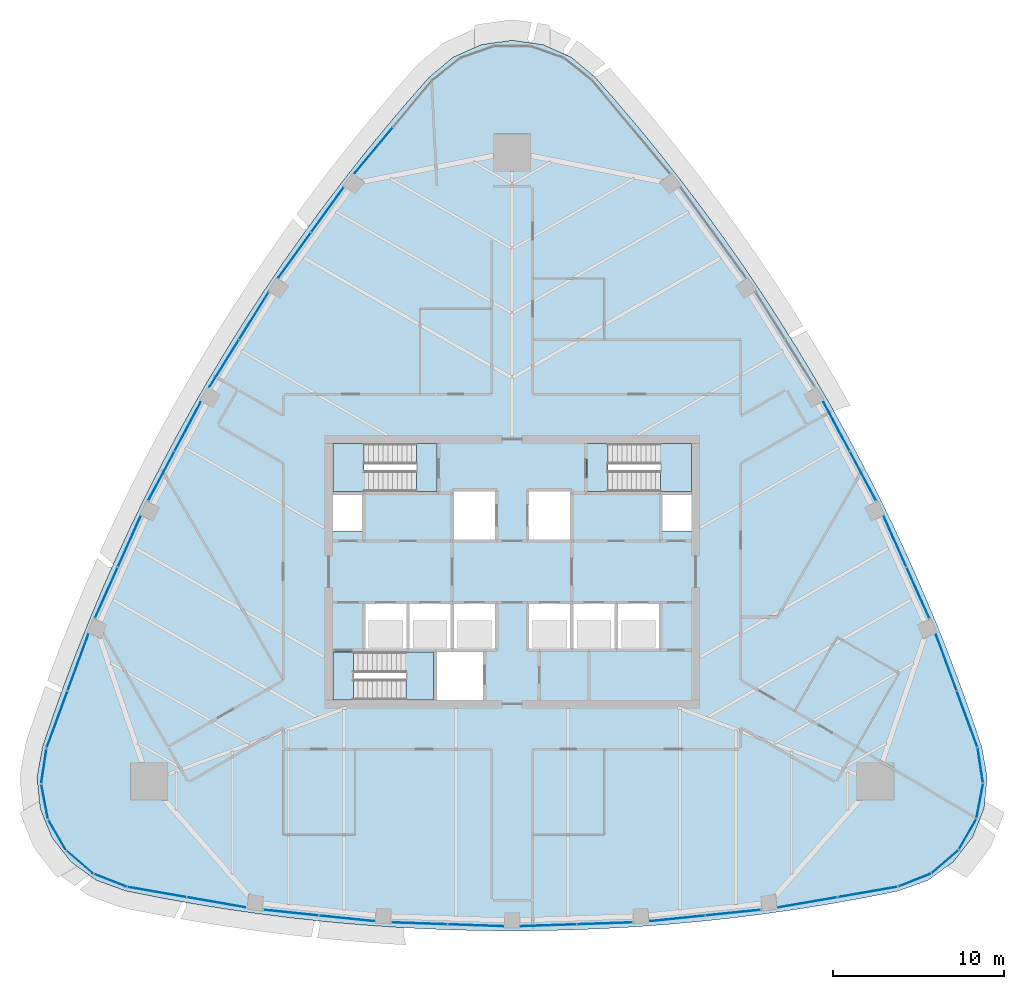
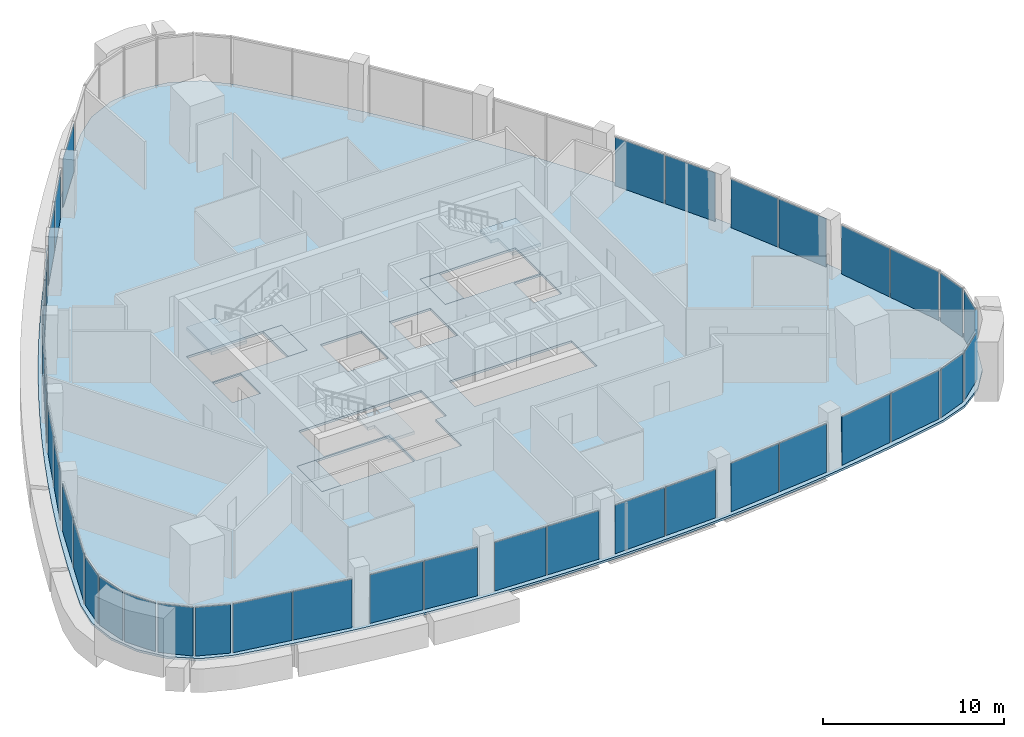
# One storey, part 7 of 15: 39 plates, 7 slabs, 28 elements without a shape of their own.
"""IFC4 building model written with IfcOpenShell, lengths in metres."""

from ifc_helpers import new_model, si_unit, direction, frame, origin, origin_2d, place, context, subcontext, project, spatial, polyline, rectangle, outline, extrude, material, layer, layer_set, type_object, element, aggregate, save


model = new_model("IFC4")

# Units and contexts
model_context = context("Model", 3, precision=1e-05, world=origin(), true_north=direction((0.0, 1.0)))
body_context = subcontext(model_context, "Body", "Model", "MODEL_VIEW")
ifc_project = project(units=[si_unit("LENGTHUNIT", "METRE"), si_unit("AREAUNIT", "SQUARE_METRE"), si_unit("VOLUMEUNIT", "CUBIC_METRE"), si_unit("PLANEANGLEUNIT", "RADIAN"), si_unit("MASSUNIT", "GRAM", prefix="KILO")], contexts=[model_context])

# Site, building, storey
site_placement = place(None, origin())
site = spatial("IfcSite", under=ifc_project, at=site_placement, CompositionType="ELEMENT")
building_placement = place(site_placement, origin())
building = spatial("IfcBuilding", under=site, at=building_placement, Name="Sierra Prisma Convention Tower", CompositionType="ELEMENT")
storey_placement = place(building_placement, frame((0.0, 0.0, 267.0)))
storey = spatial("IfcBuildingStorey", under=building, at=storey_placement, Name="L60", CompositionType="ELEMENT", Elevation=267.0)

# Curtain wall, plates
ifc_material_1 = material(Name="Aluminium and glass curtain wall", Category="aluminium")
ifc_layer_1 = layer(ifc_material_1, 0.179931640625)
ifc_layer_set_1 = layer_set([ifc_layer_1], Name="CW-1 Plain shaft curtain wall")
curtain_wall_type = type_object("IfcCurtainWallType", Name="CW-1 Plain shaft curtain wall", PredefinedType="NOTDEFINED", material=ifc_layer_set_1)
curtain_wall_1_placement = place(storey_placement, origin())
curtain_wall_1 = element("IfcCurtainWall", 1, at=curtain_wall_1_placement, inside=storey, type_object=curtain_wall_type, Name="CW-1 S1 L60", PredefinedType="NOTDEFINED")
ifc_material_2 = material(Name="Tinted glass bronze-grey IGU", Category="glass")
ifc_layer_2 = layer(ifc_material_2, 0.028076171875)
ifc_layer_set_2 = layer_set([ifc_layer_2], Name="CW-1 glass panel")
plate_type = type_object("IfcPlateType", Name="CW-1 glass panel", PredefinedType="CURTAIN_PANEL", material=ifc_layer_set_2)
plate_1_placement = place(storey_placement, frame((-20.8017578125, -18.75830078125, 0.0), z_axis=(0.0, 0.0, 1.0), x_axis=(0.98534511814, -0.170572559804, 0.0)))
plate_1 = element("IfcPlate", 2, at=plate_1_placement, type_object=plate_type, Name="CW-1 panel S1.1", PredefinedType="CURTAIN_PANEL", context=body_context, shape_type="SweptSolid", body=[
    extrude(rectangle(XDim=3.458251953125, YDim=0.028076171875, at=origin_2d()), origin(), (0.0, 0.0, 1.0), 3.280029296875),
])
plate_2_placement = place(storey_placement, frame((-17.324951171875, -19.3603515625, 0.0), z_axis=(0.0, 0.0, 1.0), x_axis=(0.98534511814, -0.170572559804, 0.0)))
plate_2 = element("IfcPlate", 3, at=plate_2_placement, type_object=plate_type, Name="CW-1 panel S1.2", PredefinedType="CURTAIN_PANEL", context=body_context, shape_type="SweptSolid", body=[
    extrude(rectangle(XDim=3.458251953125, YDim=0.028076171875, at=origin_2d()), origin(), (0.0, 0.0, 1.0), 3.280029296875),
])
aggregate(curtain_wall_1, [plate_1, plate_2])

curtain_wall_2_placement = place(storey_placement, origin())
curtain_wall_2 = element("IfcCurtainWall", 4, at=curtain_wall_2_placement, inside=storey, type_object=curtain_wall_type, Name="CW-1 S2 L60", PredefinedType="NOTDEFINED")
plate_3_placement = place(storey_placement, frame((-12.95068359375, -19.966552734375, 0.0), z_axis=(0.0, 0.0, 1.0), x_axis=(0.994715966071, -0.102665217297, 0.0)))
plate_3 = element("IfcPlate", 5, at=plate_3_placement, type_object=plate_type, Name="CW-1 panel S2.1", PredefinedType="CURTAIN_PANEL", context=body_context, shape_type="SweptSolid", body=[
    extrude(rectangle(XDim=3.21142578125, YDim=0.028076171875, at=origin_2d()), origin(), (0.0, 0.0, 1.0), 3.280029296875),
])
plate_4_placement = place(storey_placement, frame((-9.686767578125, -20.303466796875, 0.0), z_axis=(0.0, 0.0, 1.0), x_axis=(0.994715966071, -0.102665217297, 0.0)))
plate_4 = element("IfcPlate", 6, at=plate_4_placement, type_object=plate_type, Name="CW-1 panel S2.2", PredefinedType="CURTAIN_PANEL", context=body_context, shape_type="SweptSolid", body=[
    extrude(rectangle(XDim=3.21142578125, YDim=0.028076171875, at=origin_2d()), origin(), (0.0, 0.0, 1.0), 3.280029296875),
])
aggregate(curtain_wall_2, [plate_3, plate_4])

curtain_wall_3_placement = place(storey_placement, origin())
curtain_wall_3 = element("IfcCurtainWall", 7, at=curtain_wall_3_placement, inside=storey, type_object=curtain_wall_type, Name="CW-1 S3 L60", PredefinedType="NOTDEFINED")
plate_5_placement = place(storey_placement, frame((-5.427734375, -20.59521484375, 0.0), z_axis=(0.0, 0.0, 1.0), x_axis=(0.999412424883, -0.034275428352, 0.0)))
plate_5 = element("IfcPlate", 8, at=plate_5_placement, type_object=plate_type, Name="CW-1 panel S3.1", PredefinedType="CURTAIN_PANEL", context=body_context, shape_type="SweptSolid", body=[
    extrude(rectangle(XDim=3.227294921875, YDim=0.028076171875, at=origin_2d()), origin(), (0.0, 0.0, 1.0), 3.280029296875),
])
plate_6_placement = place(storey_placement, frame((-2.13232421875, -20.708251953125, 0.0), z_axis=(0.0, 0.0, 1.0), x_axis=(0.999412424883, -0.034275428352, 0.0)))
plate_6 = element("IfcPlate", 9, at=plate_6_placement, type_object=plate_type, Name="CW-1 panel S3.2", PredefinedType="CURTAIN_PANEL", context=body_context, shape_type="SweptSolid", body=[
    extrude(rectangle(XDim=3.227294921875, YDim=0.028076171875, at=origin_2d()), origin(), (0.0, 0.0, 1.0), 3.280029296875),
])
aggregate(curtain_wall_3, [plate_5, plate_6])

curtain_wall_4_placement = place(storey_placement, origin())
curtain_wall_4 = element("IfcCurtainWall", 10, at=curtain_wall_4_placement, inside=storey, type_object=curtain_wall_type, Name="CW-1 S4 L60", PredefinedType="NOTDEFINED")
plate_7_placement = place(storey_placement, frame((2.13232421875, -20.708251953125, 0.0), z_axis=(0.0, 0.0, 1.0), x_axis=(0.999412424883, 0.034275428352, 0.0)))
plate_7 = element("IfcPlate", 11, at=plate_7_placement, type_object=plate_type, Name="CW-1 panel S4.1", PredefinedType="CURTAIN_PANEL", context=body_context, shape_type="SweptSolid", body=[
    extrude(rectangle(XDim=3.227294921875, YDim=0.028076171875, at=origin_2d()), origin(), (0.0, 0.0, 1.0), 3.280029296875),
])
plate_8_placement = place(storey_placement, frame((5.427734375, -20.59521484375, 0.0), z_axis=(0.0, 0.0, 1.0), x_axis=(0.999412424883, 0.034275428352, 0.0)))
plate_8 = element("IfcPlate", 12, at=plate_8_placement, type_object=plate_type, Name="CW-1 panel S4.2", PredefinedType="CURTAIN_PANEL", context=body_context, shape_type="SweptSolid", body=[
    extrude(rectangle(XDim=3.227294921875, YDim=0.028076171875, at=origin_2d()), origin(), (0.0, 0.0, 1.0), 3.280029296875),
])
aggregate(curtain_wall_4, [plate_7, plate_8])

curtain_wall_5_placement = place(storey_placement, origin())
curtain_wall_5 = element("IfcCurtainWall", 13, at=curtain_wall_5_placement, inside=storey, type_object=curtain_wall_type, Name="CW-1 S5 L60", PredefinedType="NOTDEFINED")
plate_9_placement = place(storey_placement, frame((9.686767578125, -20.303466796875, 0.0), z_axis=(0.0, 0.0, 1.0), x_axis=(0.994715966071, 0.102665217297, 0.0)))
plate_9 = element("IfcPlate", 14, at=plate_9_placement, type_object=plate_type, Name="CW-1 panel S5.1", PredefinedType="CURTAIN_PANEL", context=body_context, shape_type="SweptSolid", body=[
    extrude(rectangle(XDim=3.21142578125, YDim=0.028076171875, at=origin_2d()), origin(), (0.0, 0.0, 1.0), 3.280029296875),
])
plate_10_placement = place(storey_placement, frame((12.95068359375, -19.966552734375, 0.0), z_axis=(0.0, 0.0, 1.0), x_axis=(0.994715966071, 0.102665217297, 0.0)))
plate_10 = element("IfcPlate", 15, at=plate_10_placement, type_object=plate_type, Name="CW-1 panel S5.2", PredefinedType="CURTAIN_PANEL", context=body_context, shape_type="SweptSolid", body=[
    extrude(rectangle(XDim=3.21142578125, YDim=0.028076171875, at=origin_2d()), origin(), (0.0, 0.0, 1.0), 3.280029296875),
])
aggregate(curtain_wall_5, [plate_9, plate_10])

curtain_wall_6_placement = place(storey_placement, origin())
curtain_wall_6 = element("IfcCurtainWall", 16, at=curtain_wall_6_placement, inside=storey, type_object=curtain_wall_type, Name="CW-1 S6 L60", PredefinedType="NOTDEFINED")
plate_11_placement = place(storey_placement, frame((17.324951171875, -19.3603515625, 0.0), z_axis=(0.0, 0.0, 1.0), x_axis=(0.98534511814, 0.170572559804, 0.0)))
plate_11 = element("IfcPlate", 17, at=plate_11_placement, type_object=plate_type, Name="CW-1 panel S6.1", PredefinedType="CURTAIN_PANEL", context=body_context, shape_type="SweptSolid", body=[
    extrude(rectangle(XDim=3.458251953125, YDim=0.028076171875, at=origin_2d()), origin(), (0.0, 0.0, 1.0), 3.280029296875),
])
plate_12_placement = place(storey_placement, frame((20.8017578125, -18.75830078125, 0.0), z_axis=(0.0, 0.0, 1.0), x_axis=(0.98534511814, 0.170572559804, 0.0)))
plate_12 = element("IfcPlate", 18, at=plate_12_placement, type_object=plate_type, Name="CW-1 panel S6.2", PredefinedType="CURTAIN_PANEL", context=body_context, shape_type="SweptSolid", body=[
    extrude(rectangle(XDim=3.458251953125, YDim=0.028076171875, at=origin_2d()), origin(), (0.0, 0.0, 1.0), 3.280029296875),
])
aggregate(curtain_wall_6, [plate_11, plate_12])

# Curtain wall, plate
curtain_wall_7_placement = place(storey_placement, origin())
curtain_wall_7 = element("IfcCurtainWall", 19, at=curtain_wall_7_placement, inside=storey, type_object=curtain_wall_type, Name="CW-1 SE1 L60", PredefinedType="NOTDEFINED")
plate_13_placement = place(storey_placement, frame((23.5556640625, -18.06640625, 0.0), z_axis=(0.0, 0.0, 1.0), x_axis=(0.930875695338, 0.365336064233, 0.0)))
plate_13 = element("IfcPlate", 20, at=plate_13_placement, type_object=plate_type, Name="CW-1 panel SE1.1", PredefinedType="CURTAIN_PANEL", context=body_context, shape_type="SweptSolid", body=[
    extrude(rectangle(XDim=1.96826171875, YDim=0.028076171875, at=origin_2d()), origin(), (0.0, 0.0, 1.0), 3.280029296875),
])
aggregate(curtain_wall_7, [plate_13])

curtain_wall_8_placement = place(storey_placement, origin())
curtain_wall_8 = element("IfcCurtainWall", 21, at=curtain_wall_8_placement, inside=storey, type_object=curtain_wall_type, Name="CW-1 SE2 L60", PredefinedType="NOTDEFINED")
plate_14_placement = place(storey_placement, frame((25.3359375, -16.99365234375, 0.0), z_axis=(0.0, 0.0, 1.0), x_axis=(0.757973460988, 0.652285391863, 0.0)))
plate_14 = element("IfcPlate", 22, at=plate_14_placement, type_object=plate_type, Name="CW-1 panel SE2.1", PredefinedType="CURTAIN_PANEL", context=body_context, shape_type="SweptSolid", body=[
    extrude(rectangle(XDim=1.96826171875, YDim=0.028076171875, at=origin_2d()), origin(), (0.0, 0.0, 1.0), 3.280029296875),
])
aggregate(curtain_wall_8, [plate_14])

curtain_wall_9_placement = place(storey_placement, origin())
curtain_wall_9 = element("IfcCurtainWall", 23, at=curtain_wall_9_placement, inside=storey, type_object=curtain_wall_type, Name="CW-1 SE3 L60", PredefinedType="NOTDEFINED")
plate_15_placement = place(storey_placement, frame((26.661865234375, -15.393310546875, 0.0), z_axis=(0.0, 0.0, 1.0), x_axis=(0.5, 0.866025403784, 0.0)))
plate_15 = element("IfcPlate", 24, at=plate_15_placement, type_object=plate_type, Name="CW-1 panel SE3.1", PredefinedType="CURTAIN_PANEL", context=body_context, shape_type="SweptSolid", body=[
    extrude(rectangle(XDim=1.96826171875, YDim=0.028076171875, at=origin_2d()), origin(), (0.0, 0.0, 1.0), 3.280029296875),
])
aggregate(curtain_wall_9, [plate_15])

curtain_wall_10_placement = place(storey_placement, origin())
curtain_wall_10 = element("IfcCurtainWall", 25, at=curtain_wall_10_placement, inside=storey, type_object=curtain_wall_type, Name="CW-1 SE4 L60", PredefinedType="NOTDEFINED")
plate_16_placement = place(storey_placement, frame((27.385009765625, -13.444580078125, 0.0), z_axis=(0.0, 0.0, 1.0), x_axis=(0.185908989377, 0.982566968542, 0.0)))
plate_16 = element("IfcPlate", 26, at=plate_16_placement, type_object=plate_type, Name="CW-1 panel SE4.1", PredefinedType="CURTAIN_PANEL", context=body_context, shape_type="SweptSolid", body=[
    extrude(rectangle(XDim=1.96826171875, YDim=0.028076171875, at=origin_2d()), origin(), (0.0, 0.0, 1.0), 3.280029296875),
])
aggregate(curtain_wall_10, [plate_16])

curtain_wall_11_placement = place(storey_placement, origin())
curtain_wall_11 = element("IfcCurtainWall", 27, at=curtain_wall_11_placement, inside=storey, type_object=curtain_wall_type, Name="CW-1 SE5 L60", PredefinedType="NOTDEFINED")
plate_17_placement = place(storey_placement, frame((27.423828125, -11.36669921875, 0.0), z_axis=(0.0, 0.0, 1.0), x_axis=(-0.149047535125, 0.988830032045, 0.0)))
plate_17 = element("IfcPlate", 28, at=plate_17_placement, type_object=plate_type, Name="CW-1 panel SE5.1", PredefinedType="CURTAIN_PANEL", context=body_context, shape_type="SweptSolid", body=[
    extrude(rectangle(XDim=1.96826171875, YDim=0.028076171875, at=origin_2d()), origin(), (0.0, 0.0, 1.0), 3.280029296875),
])
aggregate(curtain_wall_11, [plate_17])

# Curtain wall, plates
curtain_wall_12_placement = place(storey_placement, origin())
curtain_wall_12 = element("IfcCurtainWall", 29, at=curtain_wall_12_placement, inside=storey, type_object=curtain_wall_type, Name="CW-1 NE1 L60", PredefinedType="NOTDEFINED")
plate_18_placement = place(storey_placement, frame((26.64599609375, -8.635498046875, 0.0), z_axis=(0.0, 0.0, 1.0), x_axis=(-0.344952389091, 0.938620183706, 0.0)))
plate_18 = element("IfcPlate", 30, at=plate_18_placement, type_object=plate_type, Name="CW-1 panel NE1.1", PredefinedType="CURTAIN_PANEL", context=body_context, shape_type="SweptSolid", body=[
    extrude(rectangle(XDim=3.458251953125, YDim=0.028076171875, at=origin_2d()), origin(), (0.0, 0.0, 1.0), 3.280029296875),
])
plate_19_placement = place(storey_placement, frame((25.428955078125, -5.32373046875, 0.0), z_axis=(0.0, 0.0, 1.0), x_axis=(-0.344952389091, 0.938620183706, 0.0)))
plate_19 = element("IfcPlate", 31, at=plate_19_placement, type_object=plate_type, Name="CW-1 panel NE1.2", PredefinedType="CURTAIN_PANEL", context=body_context, shape_type="SweptSolid", body=[
    extrude(rectangle(XDim=3.458251953125, YDim=0.028076171875, at=origin_2d()), origin(), (0.0, 0.0, 1.0), 3.280029296875),
])
aggregate(curtain_wall_12, [plate_18, plate_19])

curtain_wall_13_placement = place(storey_placement, origin())
curtain_wall_13 = element("IfcCurtainWall", 32, at=curtain_wall_13_placement, inside=storey, type_object=curtain_wall_type, Name="CW-1 NE2 L60", PredefinedType="NOTDEFINED")
plate_20_placement = place(storey_placement, frame((23.76708984375, -1.232421875, 0.0), z_axis=(0.0, 0.0, 1.0), x_axis=(-0.408447296771, 0.912781904816, 0.0)))
plate_20 = element("IfcPlate", 33, at=plate_20_placement, type_object=plate_type, Name="CW-1 panel NE2.1", PredefinedType="CURTAIN_PANEL", context=body_context, shape_type="SweptSolid", body=[
    extrude(rectangle(XDim=3.21142578125, YDim=0.028076171875, at=origin_2d()), origin(), (0.0, 0.0, 1.0), 3.280029296875),
])
plate_21_placement = place(storey_placement, frame((22.4267578125, 1.7626953125, 0.0), z_axis=(0.0, 0.0, 1.0), x_axis=(-0.408447296771, 0.912781904816, 0.0)))
plate_21 = element("IfcPlate", 34, at=plate_21_placement, type_object=plate_type, Name="CW-1 panel NE2.2", PredefinedType="CURTAIN_PANEL", context=body_context, shape_type="SweptSolid", body=[
    extrude(rectangle(XDim=3.21142578125, YDim=0.028076171875, at=origin_2d()), origin(), (0.0, 0.0, 1.0), 3.280029296875),
])
aggregate(curtain_wall_13, [plate_20, plate_21])

curtain_wall_14_placement = place(storey_placement, origin())
curtain_wall_14 = element("IfcCurtainWall", 35, at=curtain_wall_14_placement, inside=storey, type_object=curtain_wall_type, Name="CW-1 NE3 L60", PredefinedType="NOTDEFINED")
plate_22_placement = place(storey_placement, frame((20.5498046875, 5.59716796875, 0.0), z_axis=(0.0, 0.0, 1.0), x_axis=(-0.470022820763, 0.882654262983, 0.0)))
plate_22 = element("IfcPlate", 36, at=plate_22_placement, type_object=plate_type, Name="CW-1 panel NE3.1", PredefinedType="CURTAIN_PANEL", context=body_context, shape_type="SweptSolid", body=[
    extrude(rectangle(XDim=3.227294921875, YDim=0.028076171875, at=origin_2d()), origin(), (0.0, 0.0, 1.0), 3.280029296875),
])
plate_23_placement = place(storey_placement, frame((19.0, 8.50732421875, 0.0), z_axis=(0.0, 0.0, 1.0), x_axis=(-0.470022820763, 0.882654262983, 0.0)))
plate_23 = element("IfcPlate", 37, at=plate_23_placement, type_object=plate_type, Name="CW-1 panel NE3.2", PredefinedType="CURTAIN_PANEL", context=body_context, shape_type="SweptSolid", body=[
    extrude(rectangle(XDim=3.227294921875, YDim=0.028076171875, at=origin_2d()), origin(), (0.0, 0.0, 1.0), 3.280029296875),
])
aggregate(curtain_wall_14, [plate_22, plate_23])

# Curtain wall, plate
curtain_wall_15_placement = place(storey_placement, origin())
curtain_wall_15 = element("IfcCurtainWall", 38, at=curtain_wall_15_placement, inside=storey, type_object=curtain_wall_type, Name="CW-1 NW1 L60", PredefinedType="NOTDEFINED")
plate_24_placement = place(storey_placement, frame((-8.10400390625, 24.68408203125, 0.0), z_axis=(0.0, 0.0, 1.0), x_axis=(-0.640392729049, -0.768047623902, 0.0)))
plate_24 = element("IfcPlate", 39, at=plate_24_placement, type_object=plate_type, Name="CW-1 panel NW1.2", PredefinedType="CURTAIN_PANEL", context=body_context, shape_type="SweptSolid", body=[
    extrude(rectangle(XDim=3.458251953125, YDim=0.028076171875, at=origin_2d()), origin(), (0.0, 0.0, 1.0), 3.280029296875),
])
aggregate(curtain_wall_15, [plate_24])

# Curtain wall, plates
curtain_wall_16_placement = place(storey_placement, origin())
curtain_wall_16 = element("IfcCurtainWall", 40, at=curtain_wall_16_placement, inside=storey, type_object=curtain_wall_type, Name="CW-1 NW2 L60", PredefinedType="NOTDEFINED")
plate_25_placement = place(storey_placement, frame((-10.816162109375, 21.198974609375, 0.0), z_axis=(0.0, 0.0, 1.0), x_axis=(-0.5862686693, -0.810116687519, 0.0)))
plate_25 = element("IfcPlate", 41, at=plate_25_placement, type_object=plate_type, Name="CW-1 panel NW2.1", PredefinedType="CURTAIN_PANEL", context=body_context, shape_type="SweptSolid", body=[
    extrude(rectangle(XDim=3.21142578125, YDim=0.028076171875, at=origin_2d()), origin(), (0.0, 0.0, 1.0), 3.280029296875),
])
plate_26_placement = place(storey_placement, frame((-12.739990234375, 18.54052734375, 0.0), z_axis=(0.0, 0.0, 1.0), x_axis=(-0.5862686693, -0.810116687519, 0.0)))
plate_26 = element("IfcPlate", 42, at=plate_26_placement, type_object=plate_type, Name="CW-1 panel NW2.2", PredefinedType="CURTAIN_PANEL", context=body_context, shape_type="SweptSolid", body=[
    extrude(rectangle(XDim=3.21142578125, YDim=0.028076171875, at=origin_2d()), origin(), (0.0, 0.0, 1.0), 3.280029296875),
])
aggregate(curtain_wall_16, [plate_25, plate_26])

curtain_wall_17_placement = place(storey_placement, origin())
curtain_wall_17 = element("IfcCurtainWall", 43, at=curtain_wall_17_placement, inside=storey, type_object=curtain_wall_type, Name="CW-1 NW3 L60", PredefinedType="NOTDEFINED")
plate_27_placement = place(storey_placement, frame((-15.122314453125, 14.998046875, 0.0), z_axis=(0.0, 0.0, 1.0), x_axis=(-0.52938960412, -0.848378834631, 0.0)))
plate_27 = element("IfcPlate", 44, at=plate_27_placement, type_object=plate_type, Name="CW-1 panel NW3.1", PredefinedType="CURTAIN_PANEL", context=body_context, shape_type="SweptSolid", body=[
    extrude(rectangle(XDim=3.227294921875, YDim=0.028076171875, at=origin_2d()), origin(), (0.0, 0.0, 1.0), 3.280029296875),
])
plate_28_placement = place(storey_placement, frame((-16.86767578125, 12.200927734375, 0.0), z_axis=(0.0, 0.0, 1.0), x_axis=(-0.52938960412, -0.848378834631, 0.0)))
plate_28 = element("IfcPlate", 45, at=plate_28_placement, type_object=plate_type, Name="CW-1 panel NW3.2", PredefinedType="CURTAIN_PANEL", context=body_context, shape_type="SweptSolid", body=[
    extrude(rectangle(XDim=3.227294921875, YDim=0.028076171875, at=origin_2d()), origin(), (0.0, 0.0, 1.0), 3.280029296875),
])
aggregate(curtain_wall_17, [plate_27, plate_28])

curtain_wall_18_placement = place(storey_placement, origin())
curtain_wall_18 = element("IfcCurtainWall", 46, at=curtain_wall_18_placement, inside=storey, type_object=curtain_wall_type, Name="CW-1 NW4 L60", PredefinedType="NOTDEFINED")
plate_29_placement = place(storey_placement, frame((-19.0, 8.507568359375, 0.0), z_axis=(0.0, 0.0, 1.0), x_axis=(-0.470022820763, -0.882654262983, 0.0)))
plate_29 = element("IfcPlate", 47, at=plate_29_placement, type_object=plate_type, Name="CW-1 panel NW4.1", PredefinedType="CURTAIN_PANEL", context=body_context, shape_type="SweptSolid", body=[
    extrude(rectangle(XDim=3.227294921875, YDim=0.028076171875, at=origin_2d()), origin(), (0.0, 0.0, 1.0), 3.280029296875),
])
plate_30_placement = place(storey_placement, frame((-20.5498046875, 5.59716796875, 0.0), z_axis=(0.0, 0.0, 1.0), x_axis=(-0.470022820763, -0.882654262983, 0.0)))
plate_30 = element("IfcPlate", 48, at=plate_30_placement, type_object=plate_type, Name="CW-1 panel NW4.2", PredefinedType="CURTAIN_PANEL", context=body_context, shape_type="SweptSolid", body=[
    extrude(rectangle(XDim=3.227294921875, YDim=0.028076171875, at=origin_2d()), origin(), (0.0, 0.0, 1.0), 3.280029296875),
])
aggregate(curtain_wall_18, [plate_29, plate_30])

curtain_wall_19_placement = place(storey_placement, origin())
curtain_wall_19 = element("IfcCurtainWall", 49, at=curtain_wall_19_placement, inside=storey, type_object=curtain_wall_type, Name="CW-1 NW5 L60", PredefinedType="NOTDEFINED")
plate_31_placement = place(storey_placement, frame((-22.4267578125, 1.762939453125, 0.0), z_axis=(0.0, 0.0, 1.0), x_axis=(-0.408447296771, -0.912781904816, 0.0)))
plate_31 = element("IfcPlate", 50, at=plate_31_placement, type_object=plate_type, Name="CW-1 panel NW5.1", PredefinedType="CURTAIN_PANEL", context=body_context, shape_type="SweptSolid", body=[
    extrude(rectangle(XDim=3.21142578125, YDim=0.028076171875, at=origin_2d()), origin(), (0.0, 0.0, 1.0), 3.280029296875),
])
plate_32_placement = place(storey_placement, frame((-23.766845703125, -1.232421875, 0.0), z_axis=(0.0, 0.0, 1.0), x_axis=(-0.408447296771, -0.912781904816, 0.0)))
plate_32 = element("IfcPlate", 51, at=plate_32_placement, type_object=plate_type, Name="CW-1 panel NW5.2", PredefinedType="CURTAIN_PANEL", context=body_context, shape_type="SweptSolid", body=[
    extrude(rectangle(XDim=3.21142578125, YDim=0.028076171875, at=origin_2d()), origin(), (0.0, 0.0, 1.0), 3.280029296875),
])
aggregate(curtain_wall_19, [plate_31, plate_32])

curtain_wall_20_placement = place(storey_placement, origin())
curtain_wall_20 = element("IfcCurtainWall", 52, at=curtain_wall_20_placement, inside=storey, type_object=curtain_wall_type, Name="CW-1 NW6 L60", PredefinedType="NOTDEFINED")
plate_33_placement = place(storey_placement, frame((-25.428955078125, -5.32373046875, 0.0), z_axis=(0.0, 0.0, 1.0), x_axis=(-0.344952389091, -0.938620183706, 0.0)))
plate_33 = element("IfcPlate", 53, at=plate_33_placement, type_object=plate_type, Name="CW-1 panel NW6.1", PredefinedType="CURTAIN_PANEL", context=body_context, shape_type="SweptSolid", body=[
    extrude(rectangle(XDim=3.458251953125, YDim=0.028076171875, at=origin_2d()), origin(), (0.0, 0.0, 1.0), 3.280029296875),
])
plate_34_placement = place(storey_placement, frame((-26.64599609375, -8.635498046875, 0.0), z_axis=(0.0, 0.0, 1.0), x_axis=(-0.344952389091, -0.938620183706, 0.0)))
plate_34 = element("IfcPlate", 54, at=plate_34_placement, type_object=plate_type, Name="CW-1 panel NW6.2", PredefinedType="CURTAIN_PANEL", context=body_context, shape_type="SweptSolid", body=[
    extrude(rectangle(XDim=3.458251953125, YDim=0.028076171875, at=origin_2d()), origin(), (0.0, 0.0, 1.0), 3.280029296875),
])
aggregate(curtain_wall_20, [plate_33, plate_34])

# Curtain wall, plate
curtain_wall_21_placement = place(storey_placement, origin())
curtain_wall_21 = element("IfcCurtainWall", 55, at=curtain_wall_21_placement, inside=storey, type_object=curtain_wall_type, Name="CW-1 SW1 L60", PredefinedType="NOTDEFINED")
plate_35_placement = place(storey_placement, frame((-27.423828125, -11.36669921875, 0.0), z_axis=(0.0, 0.0, 1.0), x_axis=(-0.149047535125, -0.988830032045, 0.0)))
plate_35 = element("IfcPlate", 56, at=plate_35_placement, type_object=plate_type, Name="CW-1 panel SW1.1", PredefinedType="CURTAIN_PANEL", context=body_context, shape_type="SweptSolid", body=[
    extrude(rectangle(XDim=1.96826171875, YDim=0.028076171875, at=origin_2d()), origin(), (0.0, 0.0, 1.0), 3.280029296875),
])
aggregate(curtain_wall_21, [plate_35])

curtain_wall_22_placement = place(storey_placement, origin())
curtain_wall_22 = element("IfcCurtainWall", 57, at=curtain_wall_22_placement, inside=storey, type_object=curtain_wall_type, Name="CW-1 SW2 L60", PredefinedType="NOTDEFINED")
plate_36_placement = place(storey_placement, frame((-27.385009765625, -13.444580078125, 0.0), z_axis=(0.0, 0.0, 1.0), x_axis=(0.185908989377, -0.982566968542, 0.0)))
plate_36 = element("IfcPlate", 58, at=plate_36_placement, type_object=plate_type, Name="CW-1 panel SW2.1", PredefinedType="CURTAIN_PANEL", context=body_context, shape_type="SweptSolid", body=[
    extrude(rectangle(XDim=1.96826171875, YDim=0.028076171875, at=origin_2d()), origin(), (0.0, 0.0, 1.0), 3.280029296875),
])
aggregate(curtain_wall_22, [plate_36])

curtain_wall_23_placement = place(storey_placement, origin())
curtain_wall_23 = element("IfcCurtainWall", 59, at=curtain_wall_23_placement, inside=storey, type_object=curtain_wall_type, Name="CW-1 SW3 L60", PredefinedType="NOTDEFINED")
plate_37_placement = place(storey_placement, frame((-26.661865234375, -15.393310546875, 0.0), z_axis=(0.0, 0.0, 1.0), x_axis=(0.5, -0.866025403784, 0.0)))
plate_37 = element("IfcPlate", 60, at=plate_37_placement, type_object=plate_type, Name="CW-1 panel SW3.1", PredefinedType="CURTAIN_PANEL", context=body_context, shape_type="SweptSolid", body=[
    extrude(rectangle(XDim=1.96826171875, YDim=0.028076171875, at=origin_2d()), origin(), (0.0, 0.0, 1.0), 3.280029296875),
])
aggregate(curtain_wall_23, [plate_37])

curtain_wall_24_placement = place(storey_placement, origin())
curtain_wall_24 = element("IfcCurtainWall", 61, at=curtain_wall_24_placement, inside=storey, type_object=curtain_wall_type, Name="CW-1 SW4 L60", PredefinedType="NOTDEFINED")
plate_38_placement = place(storey_placement, frame((-25.3359375, -16.99365234375, 0.0), z_axis=(0.0, 0.0, 1.0), x_axis=(0.757973460988, -0.652285391863, 0.0)))
plate_38 = element("IfcPlate", 62, at=plate_38_placement, type_object=plate_type, Name="CW-1 panel SW4.1", PredefinedType="CURTAIN_PANEL", context=body_context, shape_type="SweptSolid", body=[
    extrude(rectangle(XDim=1.96826171875, YDim=0.028076171875, at=origin_2d()), origin(), (0.0, 0.0, 1.0), 3.280029296875),
])
aggregate(curtain_wall_24, [plate_38])

curtain_wall_25_placement = place(storey_placement, origin())
curtain_wall_25 = element("IfcCurtainWall", 63, at=curtain_wall_25_placement, inside=storey, type_object=curtain_wall_type, Name="CW-1 SW5 L60", PredefinedType="NOTDEFINED")
plate_39_placement = place(storey_placement, frame((-23.5556640625, -18.06640625, 0.0), z_axis=(0.0, 0.0, 1.0), x_axis=(0.930875695338, -0.365336064233, 0.0)))
plate_39 = element("IfcPlate", 64, at=plate_39_placement, type_object=plate_type, Name="CW-1 panel SW5.1", PredefinedType="CURTAIN_PANEL", context=body_context, shape_type="SweptSolid", body=[
    extrude(rectangle(XDim=1.96826171875, YDim=0.028076171875, at=origin_2d()), origin(), (0.0, 0.0, 1.0), 3.280029296875),
])
aggregate(curtain_wall_25, [plate_39])

# Slab
ifc_material_3 = material(Name="Concrete C35/45", Category="concrete")
ifc_layer_3 = layer(ifc_material_3, 0.14990234375)
ifc_layer_set_3 = layer_set([ifc_layer_3], Name="Composite floor slab 150")
slab_type_1 = type_object("IfcSlabType", Name="Composite floor slab 150", PredefinedType="FLOOR", material=ifc_layer_set_3)
slab_1_placement = place(storey_placement, frame((0.0, 0.0, -0.14990234375)))
element("IfcSlab", 65, at=slab_1_placement, inside=storey, type_object=slab_type_1, Name="Floor slab L60 floor", PredefinedType="FLOOR", context=body_context, shape_type="SweptSolid", body=[
    extrude(outline(polyline([(-22.62548828125, -18.6962890625), (-20.682373046875, -19.08349609375), (-18.732666015625, -19.43603515625), (-16.77685546875, -19.753662109375), (-14.81591796875, -20.0361328125), (-12.849853515625, -20.28369140625), (-10.880126953125, -20.495849609375), (-8.906494140625, -20.6728515625), (-6.93017578125, -20.814453125), (-4.951904296875, -20.920654296875), (-2.9716796875, -20.991455078125), (-0.99072265625, -21.027099609375), (0.99072265625, -21.027099609375), (2.9716796875, -20.991455078125), (4.951904296875, -20.920654296875), (6.93017578125, -20.814453125), (8.906494140625, -20.6728515625), (10.880126953125, -20.495849609375), (12.849853515625, -20.28369140625), (14.81591796875, -20.0361328125), (16.77685546875, -19.753662109375), (18.732666015625, -19.43603515625), (20.682373046875, -19.08349609375), (22.62548828125, -18.6962890625), (24.346435546875, -18.075927734375), (25.828369140625, -17.00341796875), (26.955322265625, -15.562744140625), (27.6396484375, -13.8662109375), (27.827392578125, -12.046630859375), (27.504150390625, -10.24609375), (26.867919921875, -8.36962890625), (26.198486328125, -6.5048828125), (25.49560546875, -4.65234375), (24.759765625, -2.812744140625), (23.9912109375, -0.986572265625), (23.18994140625, 0.825439453125), (22.3564453125, 2.623046875), (21.490966796875, 4.405517578125), (20.59375, 6.171875), (19.6650390625, 7.922119140625), (18.705322265625, 9.655517578125), (17.714599609375, 11.371337890625), (16.693359375, 13.0693359375), (15.641845703125, 14.748779296875), (14.560791015625, 16.408935546875), (13.449951171875, 18.0498046875), (12.309814453125, 19.670166015625), (11.14111328125, 21.270263671875), (9.94384765625, 22.848876953125), (8.71875, 24.406005859375), (7.4658203125, 25.94091796875), (6.185546875, 27.453369140625), (4.878662109375, 28.9423828125), (3.48095703125, 30.12255859375), (1.811279296875, 30.86962890625), (0.0, 31.12548828125), (-1.811279296875, 30.86962890625), (-3.48095703125, 30.12255859375), (-4.878662109375, 28.9423828125), (-6.185546875, 27.453369140625), (-7.4658203125, 25.94091796875), (-8.71875, 24.406005859375), (-9.94384765625, 22.848876953125), (-11.14111328125, 21.270263671875), (-12.309814453125, 19.670166015625), (-13.449951171875, 18.0498046875), (-14.560791015625, 16.408935546875), (-15.641845703125, 14.748779296875), (-16.693359375, 13.0693359375), (-17.714599609375, 11.371337890625), (-18.705322265625, 9.655517578125), (-19.6650390625, 7.922119140625), (-20.59375, 6.171875), (-21.490966796875, 4.405517578125), (-22.3564453125, 2.623046875), (-23.18994140625, 0.825439453125), (-23.9912109375, -0.986572265625), (-24.759765625, -2.812744140625), (-25.49560546875, -4.65234375), (-26.198486328125, -6.5048828125), (-26.867919921875, -8.36962890625), (-27.504150390625, -10.24609375), (-27.827392578125, -12.046630859375), (-27.6396484375, -13.8662109375), (-26.955322265625, -15.562744140625), (-25.828369140625, -17.00341796875), (-24.346435546875, -18.075927734375), (-22.62548828125, -18.6962890625)]), holes=[polyline([(-4.60009765625, -4.699951171875), (-4.60009765625, -7.5), (-10.5, -7.5), (-10.5, -4.699951171875), (-4.60009765625, -4.699951171875)]), polyline([(-4.5, -7.5), (-4.5, -4.60009765625), (-6.10009765625, -4.60009765625), (-8.699951171875, -4.60009765625), (-8.699951171875, -1.800048828125), (-6.10009765625, -1.800048828125), (-3.5, -1.800048828125), (-0.89990234375, -1.800048828125), (-0.89990234375, -4.60009765625), (-1.60009765625, -4.60009765625), (-1.60009765625, -7.5), (-4.5, -7.5)]), polyline([(-8.699951171875, 2.39990234375), (-10.5, 2.39990234375), (-10.5, 4.60009765625), (-8.699951171875, 4.60009765625), (-8.699951171875, 2.39990234375)]), polyline([(-4.39990234375, 4.699951171875), (-10.5, 4.699951171875), (-10.5, 7.5), (-4.39990234375, 7.5), (-4.39990234375, 4.699951171875)]), polyline([(3.5, -1.800048828125), (6.10009765625, -1.800048828125), (8.699951171875, -1.800048828125), (8.699951171875, -4.60009765625), (6.10009765625, -4.60009765625), (3.5, -4.60009765625), (0.89990234375, -4.60009765625), (0.89990234375, -1.800048828125), (3.5, -1.800048828125)]), polyline([(-0.89990234375, 1.800048828125), (-3.5, 1.800048828125), (-3.5, 4.800048828125), (-0.89990234375, 4.800048828125), (-0.89990234375, 1.800048828125)]), polyline([(3.5, 1.800048828125), (0.89990234375, 1.800048828125), (0.89990234375, 4.800048828125), (3.5, 4.800048828125), (3.5, 1.800048828125)]), polyline([(10.5, 2.39990234375), (8.699951171875, 2.39990234375), (8.699951171875, 4.60009765625), (10.5, 4.60009765625), (10.5, 2.39990234375)]), polyline([(10.5, 4.699951171875), (4.39990234375, 4.699951171875), (4.39990234375, 7.5), (10.5, 7.5), (10.5, 4.699951171875)])]), origin(), (0.0, 0.0, 1.0), 0.14990234375),
])

# Stair, slab
ifc_material_4 = material(Name="Concrete C30/37", Category="concrete")
stair_type = type_object("IfcStairType", Name="Stair dog-leg 1200 RC", PredefinedType="HALF_TURN_STAIR", material=ifc_material_4)
stair_1_placement = place(storey_placement, origin())
stair_1 = element("IfcStair", 66, at=stair_1_placement, inside=storey, type_object=stair_type, Name="L60 S1", PredefinedType="HALF_TURN_STAIR")
ifc_material_5 = material(Name="Concrete C35/45", Category="concrete")
ifc_layer_4 = layer(ifc_material_5, 0.199951171875)
ifc_layer_set_4 = layer_set([ifc_layer_4], Name="Stair landing slab")
slab_type_2 = type_object("IfcSlabType", Name="Stair landing slab", PredefinedType="LANDING", material=ifc_layer_set_4)
slab_2_placement = place(storey_placement, frame((0.0, 0.0, 1.800048828125)))
slab_2 = element("IfcSlab", 67, at=slab_2_placement, type_object=slab_type_2, Name="S1 landing 1", PredefinedType="LANDING", context=body_context, shape_type="SweptSolid", body=[
    extrude(outline(polyline([(-4.60009765625, -4.699951171875), (-4.60009765625, -7.5), (-6.221923828125, -7.5), (-6.221923828125, -5.89990234375), (-6.669921875, -5.89990234375), (-6.669921875, -4.699951171875), (-4.60009765625, -4.699951171875)])), origin(), (0.0, 0.0, 1.0), 0.199951171875),
])
aggregate(stair_1, [slab_2])

# Slab
slab_3_placement = place(storey_placement, frame((0.0, 0.0, -0.199951171875)))
element("IfcSlab", 68, at=slab_3_placement, inside=storey, type_object=slab_type_2, Name="S1 floor landing L60", PredefinedType="LANDING", context=body_context, shape_type="SweptSolid", body=[
    extrude(outline(polyline([(-10.5, -7.5), (-9.298095703125, -7.5), (-9.298095703125, -4.699951171875), (-10.5, -4.699951171875), (-10.5, -7.5)])), origin(), (0.0, 0.0, 1.0), 0.199951171875),
])

# Stair, slab
stair_2_placement = place(storey_placement, origin())
stair_2 = element("IfcStair", 69, at=stair_2_placement, inside=storey, type_object=stair_type, Name="L60 S3", PredefinedType="HALF_TURN_STAIR")
slab_4_placement = place(storey_placement, frame((0.0, 0.0, 1.800048828125)))
slab_4 = element("IfcSlab", 70, at=slab_4_placement, type_object=slab_type_2, Name="S3 landing 1", PredefinedType="LANDING", context=body_context, shape_type="SweptSolid", body=[
    extrude(outline(polyline([(-8.22998046875, 5.89990234375), (-8.22998046875, 4.699951171875), (-10.5, 4.699951171875), (-10.5, 7.5), (-8.677978515625, 7.5), (-8.677978515625, 5.89990234375), (-8.22998046875, 5.89990234375)])), origin(), (0.0, 0.0, 1.0), 0.199951171875),
])
aggregate(stair_2, [slab_4])

# Slab
slab_5_placement = place(storey_placement, frame((0.0, 0.0, -0.199951171875)))
element("IfcSlab", 71, at=slab_5_placement, inside=storey, type_object=slab_type_2, Name="S3 floor landing L60", PredefinedType="LANDING", context=body_context, shape_type="SweptSolid", body=[
    extrude(outline(polyline([(-4.39990234375, 7.5), (-5.60205078125, 7.5), (-5.60205078125, 4.699951171875), (-4.39990234375, 4.699951171875), (-4.39990234375, 7.5)])), origin(), (0.0, 0.0, 1.0), 0.199951171875),
])

# Stair, slab
stair_3_placement = place(storey_placement, origin())
stair_3 = element("IfcStair", 72, at=stair_3_placement, inside=storey, type_object=stair_type, Name="L60 S4", PredefinedType="HALF_TURN_STAIR")
slab_6_placement = place(storey_placement, frame((0.0, 0.0, 1.800048828125)))
slab_6 = element("IfcSlab", 73, at=slab_6_placement, type_object=slab_type_2, Name="S4 landing 1", PredefinedType="LANDING", context=body_context, shape_type="SweptSolid", body=[
    extrude(outline(polyline([(10.5, 7.5), (10.5, 4.699951171875), (8.677978515625, 4.699951171875), (8.677978515625, 6.300048828125), (8.22998046875, 6.300048828125), (8.22998046875, 7.5), (10.5, 7.5)])), origin(), (0.0, 0.0, 1.0), 0.199951171875),
])
aggregate(stair_3, [slab_6])

# Slab
slab_7_placement = place(storey_placement, frame((0.0, 0.0, -0.199951171875)))
element("IfcSlab", 74, at=slab_7_placement, inside=storey, type_object=slab_type_2, Name="S4 floor landing L60", PredefinedType="LANDING", context=body_context, shape_type="SweptSolid", body=[
    extrude(outline(polyline([(4.39990234375, 4.699951171875), (5.60205078125, 4.699951171875), (5.60205078125, 7.5), (4.39990234375, 7.5), (4.39990234375, 4.699951171875)])), origin(), (0.0, 0.0, 1.0), 0.199951171875),
])

save(model, "model.ifc")
